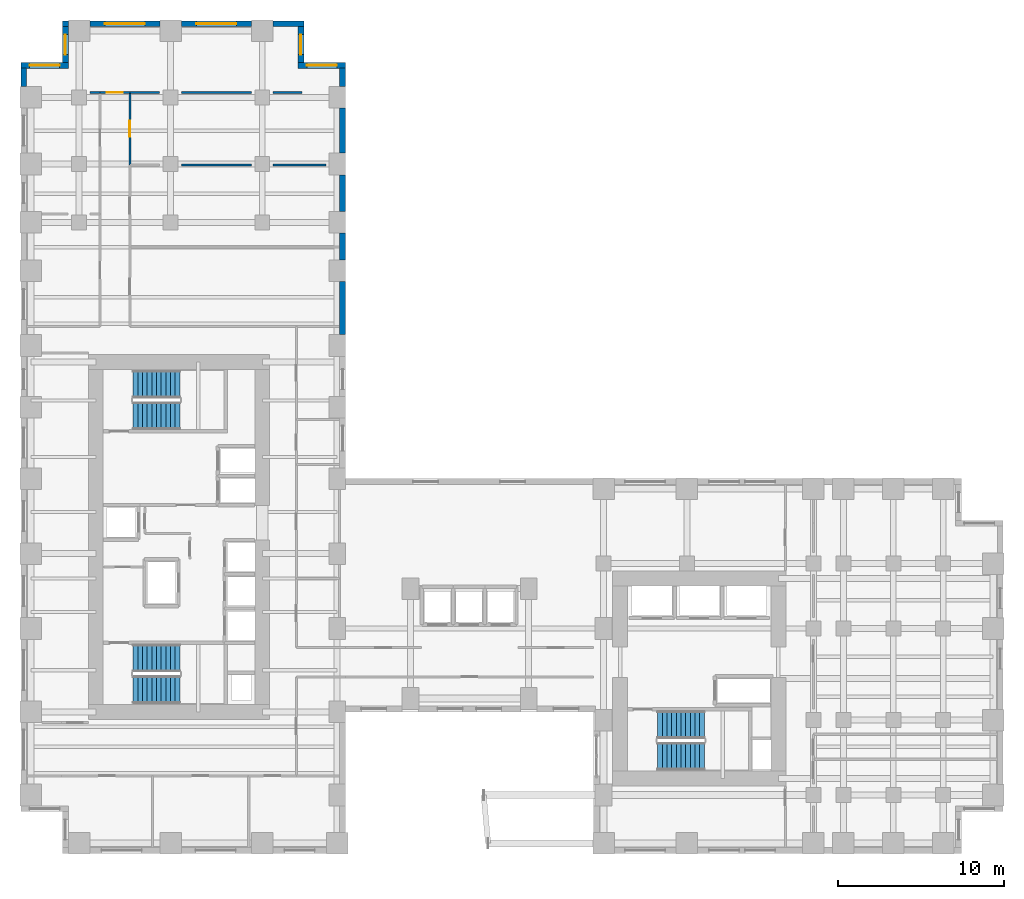
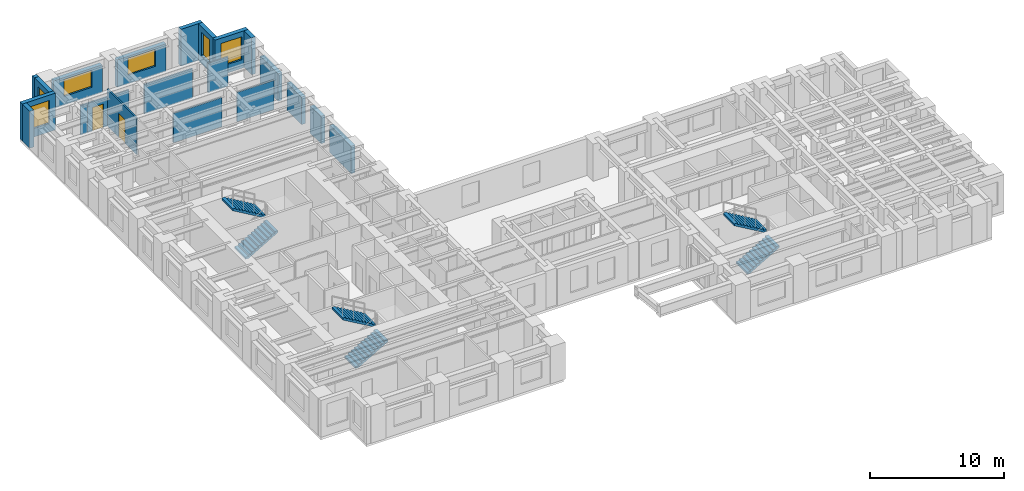
# One storey, part 12 of 14: 22 walls, 6 stair flights, 6 windows, 2 doors, 8 openings, 3 elements without a shape of their own.
"""IFC4 building model written with IfcOpenShell, lengths in metres."""

from ifc_helpers import new_model, si_unit, direction, frame, frame_2d, origin, place, context, subcontext, project, spatial, polyline, rectangle, outline, extrude, source, transform, mapped, material, layer, layer_set, type_object, element, fill, aggregate, save


model = new_model("IFC4")

# Units and contexts
model_context = context("Model", 3, precision=1e-05, world=origin(), true_north=direction((0.0, 1.0)))
body_context = subcontext(model_context, "Body", "Model", "MODEL_VIEW")
ifc_project = project(units=[si_unit("LENGTHUNIT", "METRE"), si_unit("AREAUNIT", "SQUARE_METRE"), si_unit("VOLUMEUNIT", "CUBIC_METRE"), si_unit("PLANEANGLEUNIT", "RADIAN"), si_unit("MASSUNIT", "GRAM", prefix="KILO")], contexts=[model_context])

# Site, building, storey
site_placement = place(None, origin())
site = spatial("IfcSite", under=ifc_project, at=site_placement, CompositionType="ELEMENT")
building_placement = place(site_placement, origin())
building = spatial("IfcBuilding", under=site, at=building_placement, Name="Kharzan Plaza Tower", CompositionType="ELEMENT")
storey_placement = place(building_placement, frame((0.0, 0.0, 44.10009765625)))
storey = spatial("IfcBuildingStorey", under=building, at=storey_placement, Name="L11", CompositionType="ELEMENT", Elevation=44.10009765625)

# Wall, opening, window
ifc_material_1 = material(Name="Concrete C40/50", Category="concrete")
ifc_layer_1 = layer(ifc_material_1, 0.35009765625)
ifc_layer_set_1 = layer_set([ifc_layer_1], Name="Concrete C40/50")
wall_type_1 = type_object("IfcWallType", Name="WL-EXT-MAS-Z1", PredefinedType="SOLIDWALL", material=ifc_layer_set_1)
wall_1_placement = place(storey_placement, frame((19.5, 47.324951171875, 0.0), z_axis=(0.0, 0.0, 1.0), x_axis=(-1.0, 0.0, 0.0)))
wall_1 = element("IfcWall", 1, at=wall_1_placement, inside=storey, type_object=wall_type_1, Name="L11 Masonry-Frame Exterior Wall 01", PredefinedType="SOLIDWALL", context=body_context, shape_type="SweptSolid", body=[
    extrude(rectangle(XDim=2.85009765625, YDim=0.35009765625, at=frame_2d((1.425048828125, 0.0))), origin(), (0.0, 0.0, 1.0), 3.364990234375),
])
opening_1_placement = place(wall_1_placement, frame((0.52490234375, 0.0, 0.780029296875)))
opening_1 = element("IfcOpeningElement", 2, at=opening_1_placement, cuts=wall_1, Name="Opening W1", PredefinedType="OPENING", context=body_context, shape_type="SweptSolid", body=[
    extrude(rectangle(XDim=1.800048828125, YDim=2.10009765625, at=frame_2d((0.89990234375, 1.050048828125))), frame((0.0, 0.18505859375, 0.0), z_axis=(0.0, -1.0, 0.0), x_axis=(1.0, 0.0, 0.0)), (0.0, 0.0, 1.0), 0.3701171875),
])
ifc_material_2 = material(Name="Low-E Double Glazing", Category="glass")
window_type_1 = type_object("IfcWindowType", Name="WN-REC-1800x2100", PartitioningType="SINGLE_PANEL", PredefinedType="WINDOW", material=ifc_material_2)
shared_shape_1 = source(origin(), body_context, "Body", "SweptSolid", [
    extrude(rectangle(XDim=1.800048828125, YDim=2.10009765625, at=frame_2d((0.89990234375, 1.050048828125))), frame((0.0, 0.030029296875, 0.0), z_axis=(0.0, -1.0, 0.0), x_axis=(1.0, 0.0, 0.0)), (0.0, 0.0, 1.0), 0.06005859375),
])
window_1_placement = place(opening_1_placement, origin())
window_1 = element("IfcWindow", 3, at=window_1_placement, inside=storey, type_object=window_type_1, Name="L11 Recessed Solar-Control Window 01-1", OverallHeight=2.10009765625, OverallWidth=1.800048828125, PartitioningType="SINGLE_PANEL", PredefinedType="WINDOW", context=body_context, shape_type="MappedRepresentation", body=[
    mapped(shared_shape_1, transform((0.0, 0.0, 0.0), x_axis=(1.0, 0.0, 0.0), y_axis=(0.0, 1.0, 0.0), z_axis=(0.0, 0.0, 1.0))),
])
fill(opening_1, window_1)

wall_2_placement = place(storey_placement, frame((16.824951171875, 47.498046875, 0.0), z_axis=(0.0, 0.0, 1.0), x_axis=(0.0, 1.0, 0.0)))
wall_2 = element("IfcWall", 4, at=wall_2_placement, inside=storey, type_object=wall_type_1, Name="L11 Masonry-Frame Exterior Wall 02", PredefinedType="SOLIDWALL", context=body_context, shape_type="SweptSolid", body=[
    extrude(rectangle(XDim=2.154052734375, YDim=0.35009765625, at=frame_2d((1.0771484375, 0.0))), origin(), (0.0, 0.0, 1.0), 3.364990234375),
])
opening_2_placement = place(wall_2_placement, frame((0.47705078125, 0.0, 0.780029296875)))
opening_2 = element("IfcOpeningElement", 5, at=opening_2_placement, cuts=wall_2, Name="Opening W3", PredefinedType="OPENING", context=body_context, shape_type="SweptSolid", body=[
    extrude(rectangle(XDim=1.199951171875, YDim=2.10009765625, at=frame_2d((0.60009765625, 1.050048828125))), frame((0.0, 0.18505859375, 0.0), z_axis=(0.0, -1.0, 0.0), x_axis=(1.0, 0.0, 0.0)), (0.0, 0.0, 1.0), 0.3701171875),
])
window_type_2 = type_object("IfcWindowType", Name="WN-REC-1200x2100", PartitioningType="SINGLE_PANEL", PredefinedType="WINDOW", material=ifc_material_2)
shared_shape_2 = source(origin(), body_context, "Body", "SweptSolid", [
    extrude(rectangle(XDim=1.199951171875, YDim=2.10009765625, at=frame_2d((0.60009765625, 1.050048828125))), frame((0.0, 0.030029296875, 0.0), z_axis=(0.0, -1.0, 0.0), x_axis=(1.0, 0.0, 0.0)), (0.0, 0.0, 1.0), 0.06005859375),
])
window_2_placement = place(opening_2_placement, origin())
window_2 = element("IfcWindow", 6, at=window_2_placement, inside=storey, type_object=window_type_2, Name="L11 Recessed Solar-Control Window 02-1", OverallHeight=2.10009765625, OverallWidth=1.199951171875, PartitioningType="SINGLE_PANEL", PredefinedType="WINDOW", context=body_context, shape_type="MappedRepresentation", body=[
    mapped(shared_shape_2, transform((0.0, 0.0, 0.0), x_axis=(1.0, 0.0, 0.0), y_axis=(0.0, 1.0, 0.0), z_axis=(0.0, 0.0, 1.0))),
])
fill(opening_2, window_2)

wall_3_placement = place(storey_placement, frame((13.85205078125, 49.824951171875, 0.0), z_axis=(0.0, 0.0, 1.0), x_axis=(-1.0, 0.0, 0.0)))
wall_3 = element("IfcWall", 7, at=wall_3_placement, inside=storey, type_object=wall_type_1, Name="L11 Masonry-Frame Exterior Wall 04", PredefinedType="SOLIDWALL", context=body_context, shape_type="SweptSolid", body=[
    extrude(rectangle(XDim=4.2041015625, YDim=0.35009765625, at=frame_2d((2.10205078125, 0.0))), origin(), (0.0, 0.0, 1.0), 2.510009765625),
])
opening_3_placement = place(wall_3_placement, frame((0.902099609375, 0.0, 0.780029296875)))
opening_3 = element("IfcOpeningElement", 8, at=opening_3_placement, cuts=wall_3, Name="Opening W2", PredefinedType="OPENING", context=body_context, shape_type="SweptSolid", body=[
    extrude(rectangle(XDim=2.39990234375, YDim=1.550048828125, at=frame_2d((1.199951171875, 0.77490234375))), frame((0.0, 0.18505859375, 0.0), z_axis=(0.0, -1.0, 0.0), x_axis=(1.0, 0.0, 0.0)), (0.0, 0.0, 1.0), 0.3701171875),
])
window_type_3 = type_object("IfcWindowType", Name="WN-REC-2400x2100", PartitioningType="SINGLE_PANEL", PredefinedType="WINDOW", material=ifc_material_2)
shared_shape_3 = source(origin(), body_context, "Body", "SweptSolid", [
    extrude(rectangle(XDim=2.39990234375, YDim=1.550048828125, at=frame_2d((1.199951171875, 0.77490234375))), frame((0.0, 0.030029296875, 0.0), z_axis=(0.0, -1.0, 0.0), x_axis=(1.0, 0.0, 0.0)), (0.0, 0.0, 1.0), 0.06005859375),
])
window_3_placement = place(opening_3_placement, origin())
window_3 = element("IfcWindow", 9, at=window_3_placement, inside=storey, type_object=window_type_3, Name="L11 Wide Recessed Solar-Control Window 04-1", OverallHeight=1.550048828125, OverallWidth=2.39990234375, PartitioningType="SINGLE_PANEL", PredefinedType="WINDOW", context=body_context, shape_type="MappedRepresentation", body=[
    mapped(shared_shape_3, transform((0.0, 0.0, 0.0), x_axis=(1.0, 0.0, 0.0), y_axis=(0.0, 1.0, 0.0), z_axis=(0.0, 0.0, 1.0))),
])
fill(opening_3, window_3)

wall_4_placement = place(storey_placement, frame((8.35205078125, 49.824951171875, 0.0), z_axis=(0.0, 0.0, 1.0), x_axis=(-1.0, 0.0, 0.0)))
wall_4 = element("IfcWall", 10, at=wall_4_placement, inside=storey, type_object=wall_type_1, Name="L11 Masonry-Frame Exterior Wall 05", PredefinedType="SOLIDWALL", context=body_context, shape_type="SweptSolid", body=[
    extrude(rectangle(XDim=4.2041015625, YDim=0.35009765625, at=frame_2d((2.10205078125, 0.0))), origin(), (0.0, 0.0, 1.0), 2.510009765625),
])
opening_4_placement = place(wall_4_placement, frame((0.902099609375, 0.0, 0.780029296875)))
opening_4 = element("IfcOpeningElement", 11, at=opening_4_placement, cuts=wall_4, Name="Opening W2", PredefinedType="OPENING", context=body_context, shape_type="SweptSolid", body=[
    extrude(rectangle(XDim=2.39990234375, YDim=1.550048828125, at=frame_2d((1.199951171875, 0.77490234375))), frame((0.0, 0.18505859375, 0.0), z_axis=(0.0, -1.0, 0.0), x_axis=(1.0, 0.0, 0.0)), (0.0, 0.0, 1.0), 0.3701171875),
])
window_4_placement = place(opening_4_placement, origin())
window_4 = element("IfcWindow", 12, at=window_4_placement, inside=storey, type_object=window_type_3, Name="L11 Wide Recessed Solar-Control Window 05-1", OverallHeight=1.550048828125, OverallWidth=2.39990234375, PartitioningType="SINGLE_PANEL", PredefinedType="WINDOW", context=body_context, shape_type="MappedRepresentation", body=[
    mapped(shared_shape_3, transform((0.0, 0.0, 0.0), x_axis=(1.0, 0.0, 0.0), y_axis=(0.0, 1.0, 0.0), z_axis=(0.0, 0.0, 1.0))),
])
fill(opening_4, window_4)

wall_5_placement = place(storey_placement, frame((2.675048828125, 49.652099609375, 0.0), z_axis=(0.0, 0.0, 1.0), x_axis=(0.0, -1.0, 0.0)))
wall_5 = element("IfcWall", 13, at=wall_5_placement, inside=storey, type_object=wall_type_1, Name="L11 Masonry-Frame Exterior Wall 07", PredefinedType="SOLIDWALL", context=body_context, shape_type="SweptSolid", body=[
    extrude(rectangle(XDim=2.154052734375, YDim=0.35009765625, at=frame_2d((1.0771484375, 0.0))), origin(), (0.0, 0.0, 1.0), 3.364990234375),
])
opening_5_placement = place(wall_5_placement, frame((0.47705078125, 0.0, 0.780029296875)))
opening_5 = element("IfcOpeningElement", 14, at=opening_5_placement, cuts=wall_5, Name="Opening W3", PredefinedType="OPENING", context=body_context, shape_type="SweptSolid", body=[
    extrude(rectangle(XDim=1.199951171875, YDim=2.10009765625, at=frame_2d((0.60009765625, 1.050048828125))), frame((0.0, 0.18505859375, 0.0), z_axis=(0.0, -1.0, 0.0), x_axis=(1.0, 0.0, 0.0)), (0.0, 0.0, 1.0), 0.3701171875),
])
window_5_placement = place(opening_5_placement, origin())
window_5 = element("IfcWindow", 15, at=window_5_placement, inside=storey, type_object=window_type_2, Name="L11 Recessed Solar-Control Window 07-1", OverallHeight=2.10009765625, OverallWidth=1.199951171875, PartitioningType="SINGLE_PANEL", PredefinedType="WINDOW", context=body_context, shape_type="MappedRepresentation", body=[
    mapped(shared_shape_2, transform((0.0, 0.0, 0.0), x_axis=(1.0, 0.0, 0.0), y_axis=(0.0, 1.0, 0.0), z_axis=(0.0, 0.0, 1.0))),
])
fill(opening_5, window_5)

wall_6_placement = place(storey_placement, frame((2.85009765625, 47.324951171875, 0.0), z_axis=(0.0, 0.0, 1.0), x_axis=(-1.0, 0.0, 0.0)))
wall_6 = element("IfcWall", 16, at=wall_6_placement, inside=storey, type_object=wall_type_1, Name="L11 Masonry-Frame Exterior Wall 08", PredefinedType="SOLIDWALL", context=body_context, shape_type="SweptSolid", body=[
    extrude(rectangle(XDim=2.85009765625, YDim=0.35009765625, at=frame_2d((1.425048828125, 0.0))), origin(), (0.0, 0.0, 1.0), 3.364990234375),
])
opening_6_placement = place(wall_6_placement, frame((0.52490234375, 0.0, 0.780029296875)))
opening_6 = element("IfcOpeningElement", 17, at=opening_6_placement, cuts=wall_6, Name="Opening W1", PredefinedType="OPENING", context=body_context, shape_type="SweptSolid", body=[
    extrude(rectangle(XDim=1.800048828125, YDim=2.10009765625, at=frame_2d((0.89990234375, 1.050048828125))), frame((0.0, 0.18505859375, 0.0), z_axis=(0.0, -1.0, 0.0), x_axis=(1.0, 0.0, 0.0)), (0.0, 0.0, 1.0), 0.3701171875),
])
window_6_placement = place(opening_6_placement, origin())
window_6 = element("IfcWindow", 18, at=window_6_placement, inside=storey, type_object=window_type_1, Name="L11 Recessed Solar-Control Window 08-1", OverallHeight=2.10009765625, OverallWidth=1.800048828125, PartitioningType="SINGLE_PANEL", PredefinedType="WINDOW", context=body_context, shape_type="MappedRepresentation", body=[
    mapped(shared_shape_1, transform((0.0, 0.0, 0.0), x_axis=(1.0, 0.0, 0.0), y_axis=(0.0, 1.0, 0.0), z_axis=(0.0, 0.0, 1.0))),
])
fill(opening_6, window_6)

# Wall, opening, door
ifc_material_3 = material(Name="Fire-Rated Gypsum Board Partition", Category="gypsum")
ifc_layer_2 = layer(ifc_material_3, 0.125)
ifc_layer_set_2 = layer_set([ifc_layer_2], Name="Fire-Rated Gypsum Board Partition")
wall_type_2 = type_object("IfcWallType", Name="WL-INT-PART-125", PredefinedType="PARTITIONING", material=ifc_layer_set_2)
wall_7_placement = place(storey_placement, frame((6.550048828125, 41.343994140625, 0.0), z_axis=(0.0, 0.0, 1.0), x_axis=(0.0, 1.0, 0.0)))
wall_7 = element("IfcWall", 19, at=wall_7_placement, inside=storey, type_object=wall_type_2, Name="L11 Interior Partition SH-SPE-3", PredefinedType="PARTITIONING", context=body_context, shape_type="SweptSolid", body=[
    extrude(rectangle(XDim=4.35595703125, YDim=0.125, at=frame_2d((2.177978515625, 0.0))), origin(), (0.0, 0.0, 1.0), 3.364990234375),
])
opening_7_placement = place(wall_7_placement, frame((1.702880859375, 0.0, 0.0)))
opening_7 = element("IfcOpeningElement", 20, at=opening_7_placement, cuts=wall_7, Name="Opening OD1", PredefinedType="OPENING", context=body_context, shape_type="SweptSolid", body=[
    extrude(rectangle(XDim=0.949951171875, YDim=2.14990234375, at=frame_2d((0.47509765625, 1.074951171875))), frame((0.0, 0.072509765625, 0.0), z_axis=(0.0, -1.0, 0.0), x_axis=(1.0, 0.0, 0.0)), (0.0, 0.0, 1.0), 0.14501953125),
])
ifc_material_4 = material(Name="Acoustic Solid-Core Stained Oak", Category="timber")
door_type = type_object("IfcDoorType", Name="DR-OFF-SINGLE", OperationType="NOTDEFINED", PredefinedType="DOOR", material=ifc_material_4)
shared_shape_4 = source(origin(), body_context, "Body", "SweptSolid", [
    extrude(rectangle(XDim=0.949951171875, YDim=2.14990234375, at=frame_2d((0.47509765625, 1.074951171875))), frame((0.0, 0.02490234375, 0.0), z_axis=(0.0, -1.0, 0.0), x_axis=(1.0, 0.0, 0.0)), (0.0, 0.0, 1.0), 0.050048828125),
])
door_1_placement = place(opening_7_placement, origin())
door_1 = element("IfcDoor", 21, at=door_1_placement, inside=storey, type_object=door_type, Name="L11 Open Office Workspace Door", OperationType="SINGLE_SWING_LEFT", OverallHeight=2.14990234375, OverallWidth=0.949951171875, PredefinedType="DOOR", context=body_context, shape_type="MappedRepresentation", body=[
    mapped(shared_shape_4, transform((0.0, 0.0, 0.0), x_axis=(1.0, 0.0, 0.0), y_axis=(0.0, 1.0, 0.0), z_axis=(0.0, 0.0, 1.0))),
])
fill(opening_7, door_1)

wall_8_placement = place(storey_placement, frame((4.75, 45.699951171875, 0.0), z_axis=(0.0, 0.0, 1.0), x_axis=(1.0, 0.0, 0.0)))
wall_8 = element("IfcWall", 22, at=wall_8_placement, inside=storey, type_object=wall_type_2, Name="L11 Interior Partition SH-SPHD", PredefinedType="PARTITIONING", context=body_context, shape_type="SweptSolid", body=[
    extrude(rectangle(XDim=1.800048828125, YDim=0.125, at=frame_2d((0.89990234375, 0.0))), origin(), (0.0, 0.0, 1.0), 2.669921875),
])
opening_8_placement = place(wall_8_placement, frame((0.425048828125, 0.0, 0.0)))
opening_8 = element("IfcOpeningElement", 23, at=opening_8_placement, cuts=wall_8, Name="Opening OD1", PredefinedType="OPENING", context=body_context, shape_type="SweptSolid", body=[
    extrude(rectangle(XDim=0.949951171875, YDim=2.14990234375, at=frame_2d((0.47509765625, 1.074951171875))), frame((0.0, 0.072509765625, 0.0), z_axis=(0.0, -1.0, 0.0), x_axis=(1.0, 0.0, 0.0)), (0.0, 0.0, 1.0), 0.14501953125),
])
door_2_placement = place(opening_8_placement, origin())
door_2 = element("IfcDoor", 24, at=door_2_placement, inside=storey, type_object=door_type, Name="L11 North Boardroom Door", OperationType="SINGLE_SWING_RIGHT", OverallHeight=2.14990234375, OverallWidth=0.949951171875, PredefinedType="DOOR", context=body_context, shape_type="MappedRepresentation", body=[
    mapped(shared_shape_4, transform((0.0, 0.0, 0.0), x_axis=(1.0, 0.0, 0.0), y_axis=(0.0, 1.0, 0.0), z_axis=(0.0, 0.0, 1.0))),
])
fill(opening_8, door_2)

# Walls
shared_shape_5 = source(origin(), body_context, "Body", "SweptSolid", [
    extrude(rectangle(XDim=1.85205078125, YDim=0.35009765625, at=frame_2d((0.926025390625, 0.0))), origin(), (0.0, 0.0, 1.0), 3.364990234375),
])
wall_9_placement = place(storey_placement, frame((17.0, 49.824951171875, 0.0), z_axis=(0.0, 0.0, 1.0), x_axis=(-1.0, 0.0, 0.0)))
element("IfcWall", 25, at=wall_9_placement, inside=storey, type_object=wall_type_1, Name="L11 Masonry-Frame Exterior Wall 03", PredefinedType="SOLIDWALL", context=body_context, shape_type="MappedRepresentation", body=[
    mapped(shared_shape_5, transform((0.0, 0.0, 0.0), x_axis=(1.0, 0.0, 0.0), y_axis=(0.0, 1.0, 0.0), z_axis=(0.0, 0.0, 1.0))),
])
shared_shape_6 = source(origin(), body_context, "Body", "SweptSolid", [
    extrude(rectangle(XDim=0.35205078125, YDim=0.35009765625, at=frame_2d((0.176025390625, 0.0))), origin(), (0.0, 0.0, 1.0), 3.364990234375),
])
wall_10_placement = place(storey_placement, frame((2.85205078125, 49.824951171875, 0.0), z_axis=(0.0, 0.0, 1.0), x_axis=(-1.0, 0.0, 0.0)))
element("IfcWall", 26, at=wall_10_placement, inside=storey, type_object=wall_type_1, Name="L11 Masonry-Frame Exterior Wall 06", PredefinedType="SOLIDWALL", context=body_context, shape_type="MappedRepresentation", body=[
    mapped(shared_shape_6, transform((0.0, 0.0, 0.0), x_axis=(1.0, 0.0, 0.0), y_axis=(0.0, 1.0, 0.0), z_axis=(0.0, 0.0, 1.0))),
])
shared_shape_7 = source(origin(), body_context, "Body", "SweptSolid", [
    extrude(rectangle(XDim=1.10400390625, YDim=0.35009765625, at=frame_2d((0.552001953125, 0.0))), origin(), (0.0, 0.0, 1.0), 3.364990234375),
])
for number, where, z_axis, x_axis, name in (
    (27, (0.175048828125, 47.152099609375, 0.0), (0.0, 0.0, 1.0), (0.0, -1.0, 0.0), "L11 Masonry-Frame Exterior Wall 09"),
    (28, (19.324951171875, 46.048095703125, 0.0), (0.0, 0.0, 1.0), (0.0, 1.0, 0.0), "L11 Masonry-Frame Exterior Wall 61"),
):
    element("IfcWall", number, at=place(storey_placement, frame(where, z_axis=z_axis, x_axis=x_axis)), inside=storey, type_object=wall_type_1, Name=name, PredefinedType="SOLIDWALL", context=body_context, shape_type="MappedRepresentation", body=[
        mapped(shared_shape_7, transform((0.0, 0.0, 0.0), x_axis=(1.0, 0.0, 0.0), y_axis=(0.0, 1.0, 0.0), z_axis=(0.0, 0.0, 1.0))),
    ])
shared_shape_8 = source(origin(), body_context, "Body", "SweptSolid", [
    extrude(rectangle(XDim=1.60400390625, YDim=0.35009765625, at=frame_2d((0.802001953125, 0.0))), origin(), (0.0, 0.0, 1.0), 2.510009765625),
])
wall_11_placement = place(storey_placement, frame((19.324951171875, 35.64794921875, 0.0), z_axis=(0.0, 0.0, 1.0), x_axis=(0.0, 1.0, 0.0)))
element("IfcWall", 29, at=wall_11_placement, inside=storey, type_object=wall_type_1, Name="L11 Masonry-Frame Exterior Wall 58", PredefinedType="SOLIDWALL", context=body_context, shape_type="MappedRepresentation", body=[
    mapped(shared_shape_8, transform((0.0, 0.0, 0.0), x_axis=(1.0, 0.0, 0.0), y_axis=(0.0, 1.0, 0.0), z_axis=(0.0, 0.0, 1.0))),
])
shared_shape_9 = source(origin(), body_context, "Body", "SweptSolid", [
    extrude(rectangle(XDim=3.2041015625, YDim=0.35009765625, at=frame_2d((1.60205078125, 0.0))), origin(), (0.0, 0.0, 1.0), 2.510009765625),
])
wall_12_placement = place(storey_placement, frame((19.324951171875, 31.14794921875, 0.0), z_axis=(0.0, 0.0, 1.0), x_axis=(0.0, 1.0, 0.0)))
element("IfcWall", 30, at=wall_12_placement, inside=storey, type_object=wall_type_1, Name="L11 Masonry-Frame Exterior Wall 57", PredefinedType="SOLIDWALL", context=body_context, shape_type="MappedRepresentation", body=[
    mapped(shared_shape_9, transform((0.0, 0.0, 0.0), x_axis=(1.0, 0.0, 0.0), y_axis=(0.0, 1.0, 0.0), z_axis=(0.0, 0.0, 1.0))),
])
shared_shape_10 = source(origin(), body_context, "Body", "SweptSolid", [
    extrude(rectangle(XDim=2.203857421875, YDim=0.35009765625, at=frame_2d((1.10205078125, 0.0))), origin(), (0.0, 0.0, 1.0), 2.510009765625),
])
wall_13_placement = place(storey_placement, frame((19.324951171875, 38.548095703125, 0.0), z_axis=(0.0, 0.0, 1.0), x_axis=(0.0, 1.0, 0.0)))
element("IfcWall", 31, at=wall_13_placement, inside=storey, type_object=wall_type_1, Name="L11 Masonry-Frame Exterior Wall 59", PredefinedType="SOLIDWALL", context=body_context, shape_type="MappedRepresentation", body=[
    mapped(shared_shape_10, transform((0.0, 0.0, 0.0), x_axis=(1.0, 0.0, 0.0), y_axis=(0.0, 1.0, 0.0), z_axis=(0.0, 0.0, 1.0))),
])
shared_shape_11 = source(origin(), body_context, "Body", "SweptSolid", [
    extrude(rectangle(XDim=2.703857421875, YDim=0.35009765625, at=frame_2d((1.35205078125, 0.0))), origin(), (0.0, 0.0, 1.0), 2.510009765625),
])
wall_14_placement = place(storey_placement, frame((19.324951171875, 42.048095703125, 0.0), z_axis=(0.0, 0.0, 1.0), x_axis=(0.0, 1.0, 0.0)))
element("IfcWall", 32, at=wall_14_placement, inside=storey, type_object=wall_type_1, Name="L11 Masonry-Frame Exterior Wall 60", PredefinedType="SOLIDWALL", context=body_context, shape_type="MappedRepresentation", body=[
    mapped(shared_shape_11, transform((0.0, 0.0, 0.0), x_axis=(1.0, 0.0, 0.0), y_axis=(0.0, 1.0, 0.0), z_axis=(0.0, 0.0, 1.0))),
])
shared_shape_12 = source(origin(), body_context, "Body", "SweptSolid", [
    extrude(rectangle(XDim=3.18017578125, YDim=0.125, at=frame_2d((1.590087890625, 0.0))), origin(), (0.0, 0.0, 1.0), 2.669921875),
])
wall_15_placement = place(storey_placement, frame((15.159912109375, 41.343994140625, 0.0), z_axis=(0.0, 0.0, 1.0), x_axis=(1.0, 0.0, 0.0)))
element("IfcWall", 33, at=wall_15_placement, inside=storey, type_object=wall_type_2, Name="L11 Interior Partition SH-NEH-2-S3", PredefinedType="PARTITIONING", context=body_context, shape_type="MappedRepresentation", body=[
    mapped(shared_shape_12, transform((0.0, 0.0, 0.0), x_axis=(1.0, 0.0, 0.0), y_axis=(0.0, 1.0, 0.0), z_axis=(0.0, 0.0, 1.0))),
])
shared_shape_13 = source(origin(), body_context, "Body", "SweptSolid", [
    extrude(rectangle(XDim=1.7900390625, YDim=0.125, at=frame_2d((0.89501953125, 0.0))), origin(), (0.0, 0.0, 1.0), 2.669921875),
])
wall_16_placement = place(storey_placement, frame((6.550048828125, 45.699951171875, 0.0), z_axis=(0.0, 0.0, 1.0), x_axis=(1.0, 0.0, 0.0)))
element("IfcWall", 34, at=wall_16_placement, inside=storey, type_object=wall_type_2, Name="L11 Interior Partition SH-SPHE-S1", PredefinedType="PARTITIONING", context=body_context, shape_type="MappedRepresentation", body=[
    mapped(shared_shape_13, transform((0.0, 0.0, 0.0), x_axis=(1.0, 0.0, 0.0), y_axis=(0.0, 1.0, 0.0), z_axis=(0.0, 0.0, 1.0))),
])
shared_shape_14 = source(origin(), body_context, "Body", "SweptSolid", [
    extrude(rectangle(XDim=4.18017578125, YDim=0.125, at=frame_2d((2.090087890625, 0.0))), origin(), (0.0, 0.0, 1.0), 2.669921875),
])
for number, where, z_axis, x_axis, name in (
    (35, (9.659912109375, 41.343994140625, 0.0), (0.0, 0.0, 1.0), (1.0, 0.0, 0.0), "L11 Interior Partition SH-NEH-2-S2"),
    (36, (9.659912109375, 45.699951171875, 0.0), (0.0, 0.0, 1.0), (1.0, 0.0, 0.0), "L11 Interior Partition SH-SPHE-S2"),
):
    element("IfcWall", number, at=place(storey_placement, frame(where, z_axis=z_axis, x_axis=x_axis)), inside=storey, type_object=wall_type_2, Name=name, PredefinedType="PARTITIONING", context=body_context, shape_type="MappedRepresentation", body=[
        mapped(shared_shape_14, transform((0.0, 0.0, 0.0), x_axis=(1.0, 0.0, 0.0), y_axis=(0.0, 1.0, 0.0), z_axis=(0.0, 0.0, 1.0))),
    ])
shared_shape_15 = source(origin(), body_context, "Body", "SweptSolid", [
    extrude(rectangle(XDim=1.739990234375, YDim=0.125, at=frame_2d((0.8701171875, 0.0))), origin(), (0.0, 0.0, 1.0), 2.669921875),
])
wall_17_placement = place(storey_placement, frame((15.159912109375, 45.699951171875, 0.0), z_axis=(0.0, 0.0, 1.0), x_axis=(1.0, 0.0, 0.0)))
element("IfcWall", 37, at=wall_17_placement, inside=storey, type_object=wall_type_2, Name="L11 Interior Partition SH-SPHE-S3", PredefinedType="PARTITIONING", context=body_context, shape_type="MappedRepresentation", body=[
    mapped(shared_shape_15, transform((0.0, 0.0, 0.0), x_axis=(1.0, 0.0, 0.0), y_axis=(0.0, 1.0, 0.0), z_axis=(0.0, 0.0, 1.0))),
])
shared_shape_16 = source(origin(), body_context, "Body", "SweptSolid", [
    extrude(rectangle(XDim=0.590087890625, YDim=0.125, at=frame_2d((0.294921875, 0.0))), origin(), (0.0, 0.0, 1.0), 2.669921875),
])
wall_18_placement = place(storey_placement, frame((4.159912109375, 45.699951171875, 0.0), z_axis=(0.0, 0.0, 1.0), x_axis=(1.0, 0.0, 0.0)))
element("IfcWall", 38, at=wall_18_placement, inside=storey, type_object=wall_type_2, Name="L11 Interior Partition SH-SPHW", PredefinedType="PARTITIONING", context=body_context, shape_type="MappedRepresentation", body=[
    mapped(shared_shape_16, transform((0.0, 0.0, 0.0), x_axis=(1.0, 0.0, 0.0), y_axis=(0.0, 1.0, 0.0), z_axis=(0.0, 0.0, 1.0))),
])

# Stair, stair flights
stair_type_1 = type_object("IfcStairType", Name="STR-ST-1", PredefinedType="HALF_TURN_STAIR", material=ifc_material_1)
stair_1_placement = place(storey_placement, origin())
stair_1 = element("IfcStair", 39, at=stair_1_placement, inside=storey, type_object=stair_type_1, Name="L11 Protected Exit Stair ST-1", PredefinedType="HALF_TURN_STAIR")
stair_flight_type = type_object("IfcStairFlightType", Name="SFL-1650-R173", PredefinedType="STRAIGHT", material=ifc_material_1)
shared_shape_17 = source(origin(), body_context, "Body", "SweptSolid", [
    extrude(outline(polyline([(-0.0029296875, -0.011962890625), (-0.0029296875, 0.0), (0.0, 0.0), (0.0, 0.16357421875), (0.280029296875, 0.16357421875), (0.280029296875, 0.3271484375), (0.56005859375, 0.3271484375), (0.56005859375, 0.49072265625), (0.840087890625, 0.49072265625), (0.840087890625, 0.654296875), (1.1201171875, 0.654296875), (1.1201171875, 0.81787109375), (1.400146484375, 0.81787109375), (1.400146484375, 0.9814453125), (1.68017578125, 0.9814453125), (1.68017578125, 1.14501953125), (1.960205078125, 1.14501953125), (1.960205078125, 1.30859375), (2.240234375, 1.30859375), (2.240234375, 1.47216796875), (2.520263671875, 1.47216796875), (2.520263671875, 1.6357421875), (2.80029296875, 1.6357421875), (2.80029296875, 1.79931640625), (2.80029296875, 1.462158203125), (0.297119140625, 0.0), (0.297119140625, -0.011962890625), (-0.0029296875, -0.011962890625)])), frame((0.0, 0.824951171875, 0.0), z_axis=(0.0, -1.0, 0.0), x_axis=(1.0, 0.0, 0.0)), (0.0, 0.0, 1.0), 1.64990234375),
])
stair_flight_1_placement = place(storey_placement, frame((6.75, 9.824951171875, 0.0), z_axis=(0.0, 0.0, 1.0), x_axis=(1.0, 0.0, 0.0)))
stair_flight_1 = element("IfcStairFlight", 40, at=stair_flight_1_placement, type_object=stair_flight_type, Name="ST-1 flight 1", NumberOfRisers=11, NumberOfTreads=10, PredefinedType="STRAIGHT", RiserHeight=0.163636364, TreadLength=0.28, context=body_context, shape_type="MappedRepresentation", body=[
    mapped(shared_shape_17, transform((0.0, 0.0, 0.0), x_axis=(1.0, 0.0, 0.0), y_axis=(0.0, 1.0, 0.0), z_axis=(0.0, 0.0, 1.0))),
])
stair_flight_2_placement = place(storey_placement, frame((9.550048828125, 11.72509765625, 1.7998046875), z_axis=(0.0, 0.0, 1.0), x_axis=(-1.0, 0.0, 0.0)))
stair_flight_2 = element("IfcStairFlight", 41, at=stair_flight_2_placement, type_object=stair_flight_type, Name="ST-1 flight 2", NumberOfRisers=11, NumberOfTreads=10, PredefinedType="STRAIGHT", RiserHeight=0.163636364, TreadLength=0.28, context=body_context, shape_type="MappedRepresentation", body=[
    mapped(shared_shape_17, transform((0.0, 0.0, 0.0), x_axis=(1.0, 0.0, 0.0), y_axis=(0.0, 1.0, 0.0), z_axis=(0.0, 0.0, 1.0))),
])
aggregate(stair_1, [stair_flight_1, stair_flight_2])

stair_type_2 = type_object("IfcStairType", Name="STR-ST-2", PredefinedType="HALF_TURN_STAIR", material=ifc_material_1)
stair_2_placement = place(storey_placement, origin())
stair_2 = element("IfcStair", 42, at=stair_2_placement, inside=storey, type_object=stair_type_2, Name="L11 Protected Exit Stair ST-2", PredefinedType="HALF_TURN_STAIR")
stair_flight_3_placement = place(storey_placement, frame((6.75, 26.27490234375, 0.0), z_axis=(0.0, 0.0, 1.0), x_axis=(1.0, 0.0, 0.0)))
stair_flight_3 = element("IfcStairFlight", 43, at=stair_flight_3_placement, type_object=stair_flight_type, Name="ST-2 flight 1", NumberOfRisers=11, NumberOfTreads=10, PredefinedType="STRAIGHT", RiserHeight=0.163636364, TreadLength=0.28, context=body_context, shape_type="MappedRepresentation", body=[
    mapped(shared_shape_17, transform((0.0, 0.0, 0.0), x_axis=(1.0, 0.0, 0.0), y_axis=(0.0, 1.0, 0.0), z_axis=(0.0, 0.0, 1.0))),
])
stair_flight_4_placement = place(storey_placement, frame((9.550048828125, 28.175048828125, 1.7998046875), z_axis=(0.0, 0.0, 1.0), x_axis=(-1.0, 0.0, 0.0)))
stair_flight_4 = element("IfcStairFlight", 44, at=stair_flight_4_placement, type_object=stair_flight_type, Name="ST-2 flight 2", NumberOfRisers=11, NumberOfTreads=10, PredefinedType="STRAIGHT", RiserHeight=0.163636364, TreadLength=0.28, context=body_context, shape_type="MappedRepresentation", body=[
    mapped(shared_shape_17, transform((0.0, 0.0, 0.0), x_axis=(1.0, 0.0, 0.0), y_axis=(0.0, 1.0, 0.0), z_axis=(0.0, 0.0, 1.0))),
])
aggregate(stair_2, [stair_flight_3, stair_flight_4])

stair_type_3 = type_object("IfcStairType", Name="STR-ST-3", PredefinedType="HALF_TURN_STAIR", material=ifc_material_1)
stair_3_placement = place(storey_placement, origin())
stair_3 = element("IfcStair", 45, at=stair_3_placement, inside=storey, type_object=stair_type_3, Name="L11 Protected Exit Stair ST-3", PredefinedType="HALF_TURN_STAIR")
stair_flight_5_placement = place(storey_placement, frame((38.25, 5.824951171875, 0.0), z_axis=(0.0, 0.0, 1.0), x_axis=(1.0, 0.0, 0.0)))
stair_flight_5 = element("IfcStairFlight", 46, at=stair_flight_5_placement, type_object=stair_flight_type, Name="ST-3 flight 1", NumberOfRisers=11, NumberOfTreads=10, PredefinedType="STRAIGHT", RiserHeight=0.163636364, TreadLength=0.28, context=body_context, shape_type="MappedRepresentation", body=[
    mapped(shared_shape_17, transform((0.0, 0.0, 0.0), x_axis=(1.0, 0.0, 0.0), y_axis=(0.0, 1.0, 0.0), z_axis=(0.0, 0.0, 1.0))),
])
stair_flight_6_placement = place(storey_placement, frame((41.050048828125, 7.72509765625, 1.7998046875), z_axis=(0.0, 0.0, 1.0), x_axis=(-1.0, 0.0, 0.0)))
stair_flight_6 = element("IfcStairFlight", 47, at=stair_flight_6_placement, type_object=stair_flight_type, Name="ST-3 flight 2", NumberOfRisers=11, NumberOfTreads=10, PredefinedType="STRAIGHT", RiserHeight=0.163636364, TreadLength=0.28, context=body_context, shape_type="MappedRepresentation", body=[
    mapped(shared_shape_17, transform((0.0, 0.0, 0.0), x_axis=(1.0, 0.0, 0.0), y_axis=(0.0, 1.0, 0.0), z_axis=(0.0, 0.0, 1.0))),
])
aggregate(stair_3, [stair_flight_5, stair_flight_6])

save(model, "model.ifc")
